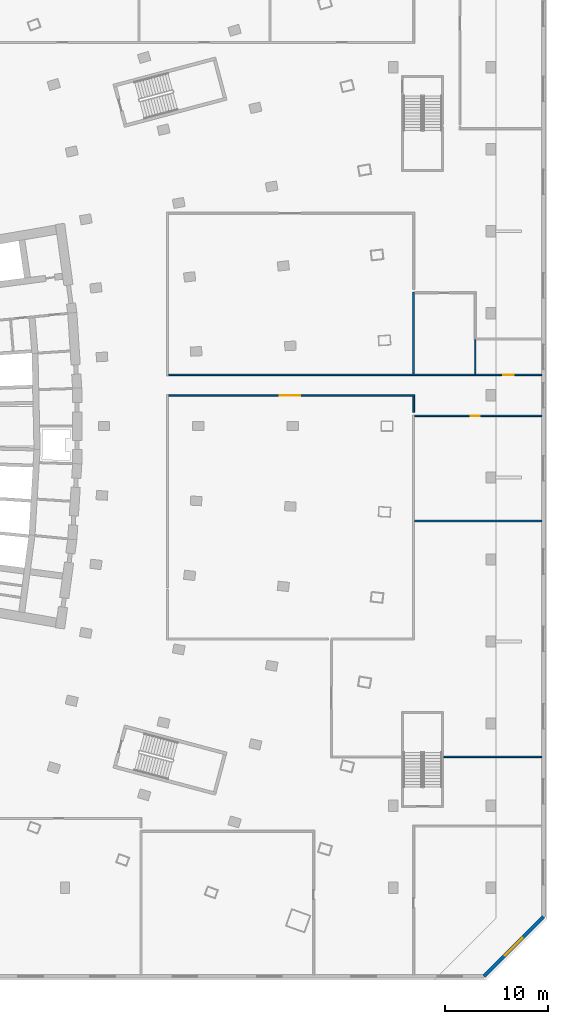
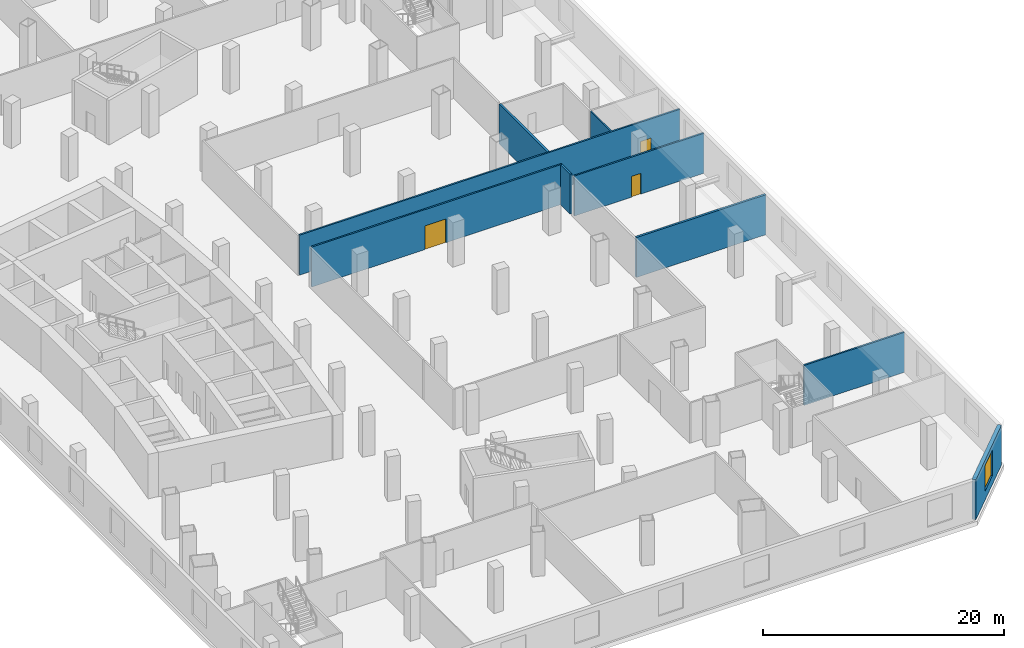
# One storey, part 6 of 16: 9 walls, 3 doors, 1 window, 4 openings.
"""IFC4 building model written with IfcOpenShell, lengths in metres."""

import ifcopenshell
import ifcopenshell.guid

model = None  # the IFC model being written
_history = None  # IfcOwnerHistory: only IFC2X3 demands one
_inside = {}  # id of a spatial element -> (the spatial element, [elements in it])
_under = {}  # id of a project, library or spatial element -> (it, [spatial elements below it])
_declared = {}  # id of a project -> (the project, [libraries it declares])
_typed = {}  # id of a type object -> (the type object, [elements of that type])
_made_of = {}  # id of a material, layer set ... -> (it, [elements and type objects made of it])


def new_model(schema):
    """Start an empty IFC model of exactly this schema.

    Asked for "IFC4X3", IfcOpenShell would pick the latest addendum, in which some entities
    have other attributes; the version numbers below select the first issue.
    IFC2X3 requires an IfcOwnerHistory on every rooted entity: one is made here for all.
    """
    global model, _history
    if schema == "IFC4X3":
        model = ifcopenshell.file(schema_version=(4, 3, 0, 0))
    else:
        model = ifcopenshell.file(schema=schema)
    _inside.clear()
    _under.clear()
    _declared.clear()
    _typed.clear()
    _made_of.clear()
    _history = None
    if model.schema == "IFC2X3":
        org = make("IfcOrganization", Name="unknown")
        user = make(
            "IfcPersonAndOrganization",
            ThePerson=make("IfcPerson", FamilyName="unknown"),
            TheOrganization=org,
        )
        app = make(
            "IfcApplication",
            ApplicationDeveloper=org,
            Version="unknown",
            ApplicationFullName="unknown",
            ApplicationIdentifier="unknown",
        )
        _history = make(
            "IfcOwnerHistory",
            OwningUser=user,
            OwningApplication=app,
            ChangeAction="ADDED",
            CreationDate=0,
        )
    return model


def make(cls, **values):
    """One entity of the class cls with the attributes given. An attribute that is None is left unset."""
    return model.create_entity(
        cls, **{name: value for name, value in values.items() if value is not None}
    )


def rooted(cls, **values):
    """An entity with a GlobalId (a new one), such as an element, a storey or a relation."""
    return make(cls, GlobalId=ifcopenshell.guid.new(), OwnerHistory=_history, **values)


def si_unit(unit_type, name, prefix=None):
    """IfcSIUnit, for example si_unit("LENGTHUNIT", "METRE", prefix="MILLI")."""
    return make("IfcSIUnit", UnitType=unit_type, Prefix=prefix, Name=name)


def assignment(units):
    """IfcUnitAssignment: the units of a project."""
    return None if units is None else make("IfcUnitAssignment", Units=units)


def point(xyz):
    """IfcCartesianPoint."""
    return None if xyz is None else make("IfcCartesianPoint", Coordinates=xyz)


def direction(xyz):
    """IfcDirection."""
    return None if xyz is None else make("IfcDirection", DirectionRatios=xyz)


def frame(location, z_axis=None, x_axis=None):
    """IfcAxis2Placement3D, a coordinate frame: its origin and axes. An axis left out is left unset."""
    return make(
        "IfcAxis2Placement3D",
        Location=point(location),
        Axis=direction(z_axis),
        RefDirection=direction(x_axis),
    )


def frame_2d(location, x_axis=None):
    """IfcAxis2Placement2D, a coordinate frame in the plane: its origin and x axis."""
    return make(
        "IfcAxis2Placement2D", Location=point(location), RefDirection=direction(x_axis)
    )


def origin():
    """The frame at (0, 0, 0) with its axes left unset."""
    return frame((0.0, 0.0, 0.0))


def place(relative_to, where):
    """IfcLocalPlacement: puts the frame where relative to a parent placement (None: the world)."""
    return make(
        "IfcLocalPlacement", PlacementRelTo=relative_to, RelativePlacement=where
    )


def context(
    kind, dimensions, precision=None, world=None, true_north=None, identifier=None
):
    """IfcGeometricRepresentationContext, for example the 3D "Model" context."""
    return make(
        "IfcGeometricRepresentationContext",
        ContextIdentifier=identifier,
        ContextType=kind,
        CoordinateSpaceDimension=dimensions,
        Precision=precision,
        WorldCoordinateSystem=world,
        TrueNorth=true_north,
    )


def subcontext(parent, identifier, kind, view, scale=None):
    """IfcGeometricRepresentationSubContext, for example "Body" below "Model"."""
    return make(
        "IfcGeometricRepresentationSubContext",
        ContextIdentifier=identifier,
        ContextType=kind,
        ParentContext=parent,
        TargetScale=scale,
        TargetView=view,
    )


def project(units=None, contexts=None):
    """IfcProject with its units and contexts."""
    return rooted(
        "IfcProject",
        Name="project",
        RepresentationContexts=contexts,
        UnitsInContext=assignment(units),
    )


def spatial(cls, under=None, at=None, **own):
    """A site, building, storey or space (cls), placed at a placement, below another one or the project."""
    s = rooted(cls, ObjectPlacement=at, **own)
    if under is not None:
        _under.setdefault(under.id(), (under, []))[1].append(s)
    return s


def profile(cls, at=None, kind="AREA", **sizes):
    """A parametric profile (cls). Its sizes go by their IFC names, for example OverallWidth=200.0."""
    return make(cls, ProfileType=kind, Position=at, **sizes)


def rectangle(**sizes):
    """IfcRectangleProfileDef."""
    return profile("IfcRectangleProfileDef", **sizes)


def extrude(swept, where, along, depth):
    """IfcExtrudedAreaSolid: the profile swept, set in the frame where, extruded along a direction by depth."""
    return make(
        "IfcExtrudedAreaSolid",
        SweptArea=swept,
        Position=where,
        ExtrudedDirection=direction(along),
        Depth=depth,
    )


def shape(context_of_items, identifier, shape_type, items):
    """IfcShapeRepresentation: the items that make up one representation, for example the "Body"."""
    return make(
        "IfcShapeRepresentation",
        ContextOfItems=context_of_items,
        RepresentationIdentifier=identifier,
        RepresentationType=shape_type,
        Items=items,
    )


def material(Name=None, Category=None):
    """IfcMaterial."""
    return make("IfcMaterial", Name=Name, Category=Category)


def layer(
    of_material, thickness, ventilated=None, Name=None, Category=None, Priority=None
):
    """IfcMaterialLayer: one layer of a wall or slab, of a material (None: an air gap)."""
    return make(
        "IfcMaterialLayer",
        Material=of_material,
        LayerThickness=thickness,
        IsVentilated=ventilated,
        Name=Name,
        Category=Category,
        Priority=Priority,
    )


def layer_set(layers, Name=None):
    """IfcMaterialLayerSet."""
    return make("IfcMaterialLayerSet", MaterialLayers=layers, LayerSetName=Name)


def made_of(thing, what):
    """Note that an element or type object is made of a material, layer set ...; save() writes the relation."""
    if what is not None:
        _made_of.setdefault(what.id(), (what, []))[1].append(thing)
    return thing


def type_object(cls, material=None, **own):
    """A type object (cls), such as IfcWallType, which elements share."""
    return made_of(rooted(cls, **own), material)


def element(
    cls,
    number,
    at=None,
    inside=None,
    cuts=None,
    type_object=None,
    material=None,
    context=None,
    identifier="Body",
    shape_type=None,
    held_by="IfcProductDefinitionShape",
    body=None,
    shapes=None,
    **own,
):
    """One element of the class cls, such as IfcWall. Its Tag is "e" and its number.

    at: its placement. inside: the storey or other place that contains it. cuts: it is an
    opening in that element (IfcRelVoidsElement). A single representation is given by context,
    identifier, shape_type and body (its items); several are given by shapes. held_by: the class
    of the entity that holds the representations. save() writes the other relations.
    """
    e = rooted(cls, Tag="e%d" % number, ObjectPlacement=at, **own)
    if body is not None:
        shapes = [shape(context, identifier, shape_type, body)]
    if shapes is not None:
        e.Representation = make(held_by, Representations=shapes)
    if inside is not None:
        _inside.setdefault(inside.id(), (inside, []))[1].append(e)
    if cuts is not None:
        rooted(
            "IfcRelVoidsElement", RelatingBuildingElement=cuts, RelatedOpeningElement=e
        )
    if type_object is not None:
        _typed.setdefault(type_object.id(), (type_object, []))[1].append(e)
    return made_of(e, material)


def fill(opening, filler):
    """IfcRelFillsElement: the door or window that sits in an opening."""
    return rooted(
        "IfcRelFillsElement",
        RelatingOpeningElement=opening,
        RelatedBuildingElement=filler,
    )


def aggregate(whole, parts):
    """IfcRelAggregates: a whole, such as a stair, and the parts it consists of."""
    return rooted("IfcRelAggregates", RelatingObject=whole, RelatedObjects=parts)


def save(model, path):
    """Write the relations noted so far, then the file.

    IfcRelAggregates (storeys below a building ...), IfcRelContainedInSpatialStructure (elements
    in a storey), IfcRelDefinesByType, IfcRelAssociatesMaterial and IfcRelDeclares: one each for
    every whole, place, type object, material and project.
    """
    for whole, parts in _under.values():
        aggregate(whole, parts)
    for where, things in _inside.values():
        rooted(
            "IfcRelContainedInSpatialStructure",
            RelatedElements=things,
            RelatingStructure=where,
        )
    for kind, things in _typed.values():
        rooted("IfcRelDefinesByType", RelatedObjects=things, RelatingType=kind)
    for what, things in _made_of.values():
        rooted("IfcRelAssociatesMaterial", RelatedObjects=things, RelatingMaterial=what)
    for by, libraries in _declared.values():
        rooted("IfcRelDeclares", RelatingContext=by, RelatedDefinitions=libraries)
    model.write(path)


model = new_model("IFC4")

# Units and contexts
model_context = context("Model", 3, precision=1e-05, world=origin(), true_north=direction((0.0, 1.0)))
body_context = subcontext(model_context, "Body", "Model", "MODEL_VIEW")
ifc_project = project(units=[si_unit("LENGTHUNIT", "METRE"), si_unit("AREAUNIT", "SQUARE_METRE"), si_unit("VOLUMEUNIT", "CUBIC_METRE"), si_unit("PLANEANGLEUNIT", "RADIAN"), si_unit("MASSUNIT", "GRAM", prefix="KILO")], contexts=[model_context])

# Site, building, storey
site_placement = place(None, origin())
site = spatial("IfcSite", under=ifc_project, at=site_placement, CompositionType="ELEMENT")
building_placement = place(site_placement, origin())
building = spatial("IfcBuilding", under=site, at=building_placement, Name="Alderwake Tower", CompositionType="ELEMENT")
storey_placement = place(building_placement, frame((0.0, 0.0, 18.5)))
storey = spatial("IfcBuildingStorey", under=building, at=storey_placement, Name="L03", CompositionType="ELEMENT", Elevation=18.5)

# Wall, opening, door
ifc_material_1 = material(Name="Gypsum board on metal studs, rated")
ifc_layer_1 = layer(ifc_material_1, 0.159912109375)
ifc_layer_set_1 = layer_set([ifc_layer_1], Name="Corridor wall 160")
wall_type_1 = type_object("IfcWallType", Name="Corridor wall 160", PredefinedType="PARTITIONING", material=ifc_layer_set_1)
wall_1_placement = place(storey_placement, frame((42.080078125, 63.9990234375, 0.0), z_axis=(0.0, 0.0, 1.0), x_axis=(1.0, 0.0, 0.0)))
wall_1 = element("IfcWall", 1, at=wall_1_placement, inside=storey, type_object=wall_type_1, Name="WL/L03/W37", PredefinedType="PARTITIONING", context=body_context, shape_type="SweptSolid", body=[
    extrude(rectangle(XDim=24.0, YDim=0.159912109375, at=frame_2d((12.0, 0.0))), origin(), (0.0, 0.0, 1.0), 4.050048828125),
])
opening_1_placement = place(wall_1_placement, frame((10.8701171875, 0.0, 0.0)))
opening_1 = element("IfcOpeningElement", 2, at=opening_1_placement, cuts=wall_1, Name="Opening L03-01", PredefinedType="OPENING", context=body_context, shape_type="SweptSolid", body=[
    extrude(rectangle(XDim=2.0, YDim=2.39990234375, at=frame_2d((1.0, 1.199951171875))), frame((0.0, 0.08984375, 0.0), z_axis=(0.0, -1.0, 0.0), x_axis=(1.0, 0.0, 0.0)), (0.0, 0.0, 1.0), 0.179931640625),
])
ifc_material_2 = material(Name="Timber leaves with glazed panels", Category="wood")
door_type_1 = type_object("IfcDoorType", Name="Hall double door 2000", OperationType="DOUBLE_DOOR_SINGLE_SWING", PredefinedType="DOOR", material=ifc_material_2)
door_1_placement = place(opening_1_placement, origin())
door_1 = element("IfcDoor", 3, at=door_1_placement, inside=storey, type_object=door_type_1, Name="DR/L03/01", OperationType="DOUBLE_DOOR_SINGLE_SWING", OverallHeight=2.39990234375, OverallWidth=2.0, PredefinedType="DOOR", context=body_context, shape_type="SweptSolid", body=[
    extrude(rectangle(XDim=2.0, YDim=2.39990234375, at=frame_2d((1.0, 1.199951171875))), frame((0.0, 0.02490234375, 0.0), z_axis=(0.0, -1.0, 0.0), x_axis=(1.0, 0.0, 0.0)), (0.0, 0.0, 1.0), 0.050048828125),
])
fill(opening_1, door_1)

wall_2_placement = place(storey_placement, frame((66.10009765625, 62.0009765625, 0.0), z_axis=(0.0, 0.0, 1.0), x_axis=(1.0, 0.0, 0.0)))
wall_2 = element("IfcWall", 4, at=wall_2_placement, inside=storey, type_object=wall_type_1, Name="WL/L03/W46", PredefinedType="PARTITIONING", context=body_context, shape_type="SweptSolid", body=[
    extrude(rectangle(XDim=12.40087890625, YDim=0.159912109375, at=frame_2d((6.200439453125, 0.0))), origin(), (0.0, 0.0, 1.0), 4.050048828125),
])
opening_2_placement = place(wall_2_placement, frame((5.449951171875, 0.0, 0.0)))
opening_2 = element("IfcOpeningElement", 5, at=opening_2_placement, cuts=wall_2, Name="Opening L03-12", PredefinedType="OPENING", context=body_context, shape_type="SweptSolid", body=[
    extrude(rectangle(XDim=0.89990234375, YDim=2.10009765625, at=frame_2d((0.449951171875, 1.050048828125))), frame((0.0, 0.08984375, 0.0), z_axis=(0.0, -1.0, 0.0), x_axis=(1.0, 0.0, 0.0)), (0.0, 0.0, 1.0), 0.179931640625),
])
ifc_material_3 = material(Name="Painted timber leaf", Category="wood")
door_type_2 = type_object("IfcDoorType", Name="Room door 900", OperationType="SINGLE_SWING_LEFT", PredefinedType="DOOR", material=ifc_material_3)
door_2_placement = place(opening_2_placement, origin())
door_2 = element("IfcDoor", 6, at=door_2_placement, inside=storey, type_object=door_type_2, Name="DR/L03/12", OperationType="SINGLE_SWING_LEFT", OverallHeight=2.10009765625, OverallWidth=0.89990234375, PredefinedType="DOOR", context=body_context, shape_type="SweptSolid", body=[
    extrude(rectangle(XDim=0.89990234375, YDim=2.10009765625, at=frame_2d((0.449951171875, 1.050048828125))), frame((0.0, 0.02490234375, 0.0), z_axis=(0.0, -1.0, 0.0), x_axis=(1.0, 0.0, 0.0)), (0.0, 0.0, 1.0), 0.050048828125),
])
fill(opening_2, door_2)

# Walls
wall_3_placement = place(storey_placement, frame((66.0, 63.9189453125, 0.0), z_axis=(0.0, 0.0, 1.0), x_axis=(0.0, -1.0, 0.0)))
element("IfcWall", 7, at=wall_3_placement, inside=storey, type_object=wall_type_1, Name="WL/L03/W47", PredefinedType="PARTITIONING", context=body_context, shape_type="SweptSolid", body=[
    extrude(rectangle(XDim=1.584716796875, YDim=0.159912109375, at=frame_2d((0.79248046875, 0.0))), origin(), (0.0, 0.0, 1.0), 4.050048828125),
])
wall_4_placement = place(storey_placement, frame((78.5009765625, 28.7490234375, 0.0), z_axis=(0.0, 0.0, 1.0), x_axis=(-1.0, 0.0, 0.0)))
element("IfcWall", 8, at=wall_4_placement, inside=storey, type_object=wall_type_1, Name="WL/L03/W55", PredefinedType="PARTITIONING", context=body_context, shape_type="SweptSolid", body=[
    extrude(rectangle(XDim=9.60009765625, YDim=0.159912109375, at=frame_2d((4.800048828125, 0.0))), origin(), (0.0, 0.0, 1.0), 4.050048828125),
])

# Wall, opening, door
wall_5_placement = place(storey_placement, frame((78.5009765625, 66.0, 0.0), z_axis=(0.0, 0.0, 1.0), x_axis=(-1.0, 0.0, 0.0)))
wall_5 = element("IfcWall", 9, at=wall_5_placement, inside=storey, type_object=wall_type_1, Name="WL/L03/W56", PredefinedType="PARTITIONING", context=body_context, shape_type="SweptSolid", body=[
    extrude(rectangle(XDim=36.4208984375, YDim=0.159912109375, at=frame_2d((18.21044921875, 0.0))), origin(), (0.0, 0.0, 1.0), 4.050048828125),
])
opening_3_placement = place(wall_5_placement, frame((2.7509765625, 0.0, 0.0)))
opening_3 = element("IfcOpeningElement", 10, at=opening_3_placement, cuts=wall_5, Name="Opening L03-14", PredefinedType="OPENING", context=body_context, shape_type="SweptSolid", body=[
    extrude(rectangle(XDim=1.0, YDim=2.10009765625, at=frame_2d((0.5, 1.050048828125))), frame((0.0, 0.08984375, 0.0), z_axis=(0.0, -1.0, 0.0), x_axis=(1.0, 0.0, 0.0)), (0.0, 0.0, 1.0), 0.179931640625),
])
ifc_material_4 = material(Name="Painted timber leaf", Category="wood")
door_type_3 = type_object("IfcDoorType", Name="Accessible WC door 1000", OperationType="SINGLE_SWING_LEFT", PredefinedType="DOOR", material=ifc_material_4)
door_3_placement = place(opening_3_placement, origin())
door_3 = element("IfcDoor", 11, at=door_3_placement, inside=storey, type_object=door_type_3, Name="DR/L03/14", OperationType="SINGLE_SWING_LEFT", OverallHeight=2.10009765625, OverallWidth=1.0, PredefinedType="DOOR", context=body_context, shape_type="SweptSolid", body=[
    extrude(rectangle(XDim=1.0, YDim=2.10009765625, at=frame_2d((0.5, 1.050048828125))), frame((0.0, 0.02490234375, 0.0), z_axis=(0.0, -1.0, 0.0), x_axis=(1.0, 0.0, 0.0)), (0.0, 0.0, 1.0), 0.050048828125),
])
fill(opening_3, door_3)

# Wall, opening, window
ifc_material_5 = material(Name="Precast concrete C50/60 spandrel panel", Category="concrete")
ifc_layer_2 = layer(ifc_material_5, 0.35009765625)
ifc_layer_set_2 = layer_set([ifc_layer_2], Name="External wall EW4 Precast concrete C50/60 podium")
wall_type_2 = type_object("IfcWallType", Name="External wall EW4 Precast concrete C50/60 podium", PredefinedType="SOLIDWALL", material=ifc_layer_set_2)
wall_6_placement = place(storey_placement, frame((72.85498046875, 7.35009765625, 0.0), z_axis=(0.0, 0.0, 1.0), x_axis=(0.707121649021, 0.707091913039, 0.0)))
wall_6 = element("IfcWall", 12, at=wall_6_placement, inside=storey, type_object=wall_type_2, Name="External wall 2", PredefinedType="SOLIDWALL", context=body_context, shape_type="SweptSolid", body=[
    extrude(rectangle(XDim=8.210205078125, YDim=0.35009765625, at=frame_2d((4.10498046875, 0.0))), origin(), (0.0, 0.0, 1.0), 4.050048828125),
])
opening_4_placement = place(wall_6_placement, frame((2.9052734375, 0.0, 0.89990234375)))
opening_4 = element("IfcOpeningElement", 13, at=opening_4_placement, cuts=wall_6, Name="Opening W6", PredefinedType="OPENING", context=body_context, shape_type="SweptSolid", body=[
    extrude(rectangle(XDim=2.39990234375, YDim=2.60009765625, at=frame_2d((1.199951171875, 1.300048828125))), frame((0.0, 0.18505859375, 0.0), z_axis=(0.0, -1.0, 0.0), x_axis=(1.0, 0.0, 0.0)), (0.0, 0.0, 1.0), 0.3701171875),
])
ifc_material_6 = material(Name="Bronze tinted glass in aluminium frame", Category="aluminium")
window_type = type_object("IfcWindowType", Name="Window W6 podium", PartitioningType="DOUBLE_PANEL_VERTICAL", PredefinedType="WINDOW", material=ifc_material_6)
window_placement = place(opening_4_placement, origin())
window = element("IfcWindow", 14, at=window_placement, inside=storey, type_object=window_type, Name="Window W6 podium", OverallHeight=2.60009765625, OverallWidth=2.39990234375, PartitioningType="DOUBLE_PANEL_VERTICAL", PredefinedType="WINDOW", context=body_context, shape_type="SweptSolid", body=[
    extrude(rectangle(XDim=2.39990234375, YDim=2.60009765625, at=frame_2d((1.199951171875, 1.300048828125))), frame((0.0, 0.030029296875, 0.0), z_axis=(0.0, -1.0, 0.0), x_axis=(1.0, 0.0, 0.0)), (0.0, 0.0, 1.0), 0.06005859375),
])
fill(opening_4, window)

# Walls
ifc_material_7 = material(Name="Dense block masonry wall", Category="masonry")
ifc_layer_3 = layer(ifc_material_7, 0.199951171875)
ifc_layer_set_3 = layer_set([ifc_layer_3], Name="Party wall 200")
wall_type_3 = type_object("IfcWallType", Name="Party wall 200", PredefinedType="SOLIDWALL", material=ifc_layer_set_3)
wall_7_placement = place(storey_placement, frame((66.0, 66.080078125, 0.0), z_axis=(0.0, 0.0, 1.0), x_axis=(0.0, 1.0, 0.0)))
element("IfcWall", 15, at=wall_7_placement, inside=storey, type_object=wall_type_3, Name="WL/L03/W07", PredefinedType="SOLIDWALL", context=body_context, shape_type="SweptSolid", body=[
    extrude(rectangle(XDim=8.0009765625, YDim=0.199951171875, at=frame_2d((4.00048828125, 0.0))), origin(), (0.0, 0.0, 1.0), 4.050048828125),
])
wall_8_placement = place(storey_placement, frame((78.5009765625, 51.75, 0.0), z_axis=(0.0, 0.0, 1.0), x_axis=(-1.0, 0.0, 0.0)))
element("IfcWall", 16, at=wall_8_placement, inside=storey, type_object=wall_type_3, Name="WL/L03/W08", PredefinedType="SOLIDWALL", context=body_context, shape_type="SweptSolid", body=[
    extrude(rectangle(XDim=12.40087890625, YDim=0.199951171875, at=frame_2d((6.200439453125, 0.0))), origin(), (0.0, 0.0, 1.0), 4.050048828125),
])
ifc_material_8 = material(Name="Moisture resistant gypsum board on metal studs")
ifc_layer_4 = layer(ifc_material_8, 0.1201171875)
ifc_layer_set_4 = layer_set([ifc_layer_4], Name="Wet room partition 120")
wall_type_4 = type_object("IfcWallType", Name="Wet room partition 120", PredefinedType="PARTITIONING", material=ifc_layer_set_4)
wall_9_placement = place(storey_placement, frame((72.0, 66.080078125, 0.0), z_axis=(0.0, 0.0, 1.0), x_axis=(0.0, 1.0, 0.0)))
element("IfcWall", 17, at=wall_9_placement, inside=storey, type_object=wall_type_4, Name="WL/L03/W58", PredefinedType="PARTITIONING", context=body_context, shape_type="SweptSolid", body=[
    extrude(rectangle(XDim=3.3408203125, YDim=0.1201171875, at=frame_2d((1.67041015625, 0.0))), origin(), (0.0, 0.0, 1.0), 4.050048828125),
])

save(model, "model.ifc")
